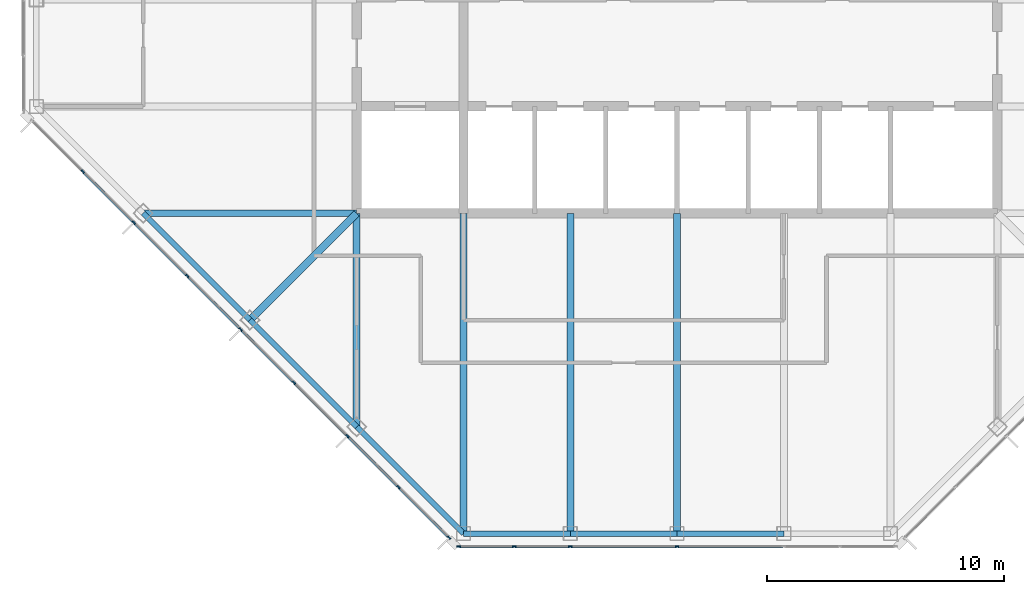
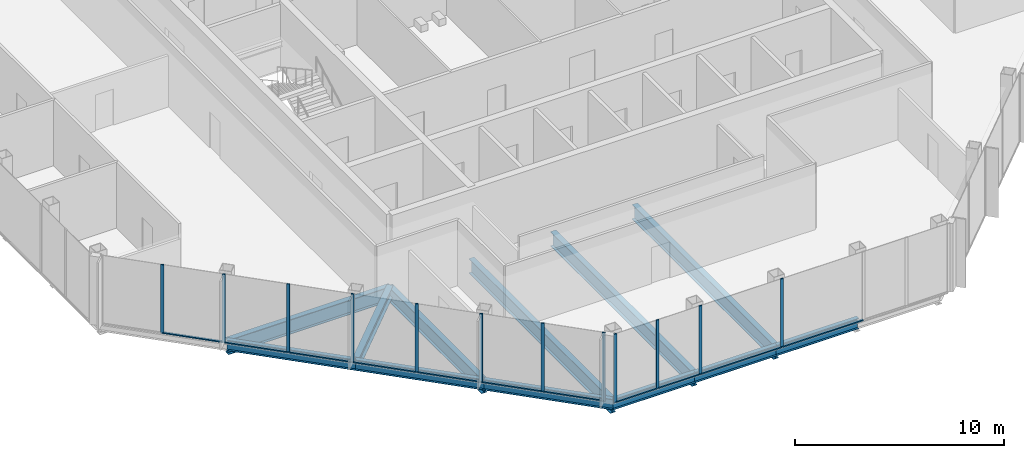
# One storey, part 2 of 14: 23 members, 12 beams, 2 elements without a shape of their own.
"""IFC4 building model written with IfcOpenShell, lengths in metres."""

import ifcopenshell
import ifcopenshell.guid

model = None  # the IFC model being written
_history = None  # IfcOwnerHistory: only IFC2X3 demands one
_inside = {}  # id of a spatial element -> (the spatial element, [elements in it])
_under = {}  # id of a project, library or spatial element -> (it, [spatial elements below it])
_declared = {}  # id of a project -> (the project, [libraries it declares])
_typed = {}  # id of a type object -> (the type object, [elements of that type])
_made_of = {}  # id of a material, layer set ... -> (it, [elements and type objects made of it])


def new_model(schema):
    """Start an empty IFC model of exactly this schema.

    Asked for "IFC4X3", IfcOpenShell would pick the latest addendum, in which some entities
    have other attributes; the version numbers below select the first issue.
    IFC2X3 requires an IfcOwnerHistory on every rooted entity: one is made here for all.
    """
    global model, _history
    if schema == "IFC4X3":
        model = ifcopenshell.file(schema_version=(4, 3, 0, 0))
    else:
        model = ifcopenshell.file(schema=schema)
    _inside.clear()
    _under.clear()
    _declared.clear()
    _typed.clear()
    _made_of.clear()
    _history = None
    if model.schema == "IFC2X3":
        org = make("IfcOrganization", Name="unknown")
        user = make(
            "IfcPersonAndOrganization",
            ThePerson=make("IfcPerson", FamilyName="unknown"),
            TheOrganization=org,
        )
        app = make(
            "IfcApplication",
            ApplicationDeveloper=org,
            Version="unknown",
            ApplicationFullName="unknown",
            ApplicationIdentifier="unknown",
        )
        _history = make(
            "IfcOwnerHistory",
            OwningUser=user,
            OwningApplication=app,
            ChangeAction="ADDED",
            CreationDate=0,
        )
    return model


def make(cls, **values):
    """One entity of the class cls with the attributes given. An attribute that is None is left unset."""
    return model.create_entity(
        cls, **{name: value for name, value in values.items() if value is not None}
    )


def rooted(cls, **values):
    """An entity with a GlobalId (a new one), such as an element, a storey or a relation."""
    return make(cls, GlobalId=ifcopenshell.guid.new(), OwnerHistory=_history, **values)


def si_unit(unit_type, name, prefix=None):
    """IfcSIUnit, for example si_unit("LENGTHUNIT", "METRE", prefix="MILLI")."""
    return make("IfcSIUnit", UnitType=unit_type, Prefix=prefix, Name=name)


def assignment(units):
    """IfcUnitAssignment: the units of a project."""
    return None if units is None else make("IfcUnitAssignment", Units=units)


def point(xyz):
    """IfcCartesianPoint."""
    return None if xyz is None else make("IfcCartesianPoint", Coordinates=xyz)


def direction(xyz):
    """IfcDirection."""
    return None if xyz is None else make("IfcDirection", DirectionRatios=xyz)


def frame(location, z_axis=None, x_axis=None):
    """IfcAxis2Placement3D, a coordinate frame: its origin and axes. An axis left out is left unset."""
    return make(
        "IfcAxis2Placement3D",
        Location=point(location),
        Axis=direction(z_axis),
        RefDirection=direction(x_axis),
    )


def frame_2d(location, x_axis=None):
    """IfcAxis2Placement2D, a coordinate frame in the plane: its origin and x axis."""
    return make(
        "IfcAxis2Placement2D", Location=point(location), RefDirection=direction(x_axis)
    )


def origin():
    """The frame at (0, 0, 0) with its axes left unset."""
    return frame((0.0, 0.0, 0.0))


def origin_2d():
    """The frame at (0, 0) in the plane with its x axis left unset."""
    return frame_2d((0.0, 0.0))


def place(relative_to, where):
    """IfcLocalPlacement: puts the frame where relative to a parent placement (None: the world)."""
    return make(
        "IfcLocalPlacement", PlacementRelTo=relative_to, RelativePlacement=where
    )


def context(
    kind, dimensions, precision=None, world=None, true_north=None, identifier=None
):
    """IfcGeometricRepresentationContext, for example the 3D "Model" context."""
    return make(
        "IfcGeometricRepresentationContext",
        ContextIdentifier=identifier,
        ContextType=kind,
        CoordinateSpaceDimension=dimensions,
        Precision=precision,
        WorldCoordinateSystem=world,
        TrueNorth=true_north,
    )


def subcontext(parent, identifier, kind, view, scale=None):
    """IfcGeometricRepresentationSubContext, for example "Body" below "Model"."""
    return make(
        "IfcGeometricRepresentationSubContext",
        ContextIdentifier=identifier,
        ContextType=kind,
        ParentContext=parent,
        TargetScale=scale,
        TargetView=view,
    )


def project(units=None, contexts=None):
    """IfcProject with its units and contexts."""
    return rooted(
        "IfcProject",
        Name="project",
        RepresentationContexts=contexts,
        UnitsInContext=assignment(units),
    )


def spatial(cls, under=None, at=None, **own):
    """A site, building, storey or space (cls), placed at a placement, below another one or the project."""
    s = rooted(cls, ObjectPlacement=at, **own)
    if under is not None:
        _under.setdefault(under.id(), (under, []))[1].append(s)
    return s


def profile(cls, at=None, kind="AREA", **sizes):
    """A parametric profile (cls). Its sizes go by their IFC names, for example OverallWidth=200.0."""
    return make(cls, ProfileType=kind, Position=at, **sizes)


def rectangle(**sizes):
    """IfcRectangleProfileDef."""
    return profile("IfcRectangleProfileDef", **sizes)


def i_section(**sizes):
    """IfcIShapeProfileDef."""
    return profile("IfcIShapeProfileDef", **sizes)


def extrude(swept, where, along, depth):
    """IfcExtrudedAreaSolid: the profile swept, set in the frame where, extruded along a direction by depth."""
    return make(
        "IfcExtrudedAreaSolid",
        SweptArea=swept,
        Position=where,
        ExtrudedDirection=direction(along),
        Depth=depth,
    )


def shape(context_of_items, identifier, shape_type, items):
    """IfcShapeRepresentation: the items that make up one representation, for example the "Body"."""
    return make(
        "IfcShapeRepresentation",
        ContextOfItems=context_of_items,
        RepresentationIdentifier=identifier,
        RepresentationType=shape_type,
        Items=items,
    )


def material(Name=None, Category=None):
    """IfcMaterial."""
    return make("IfcMaterial", Name=Name, Category=Category)


def material_profile(
    of_material, cross_section, Name=None, Category=None, Priority=None
):
    """IfcMaterialProfile: a cross section and its material."""
    return make(
        "IfcMaterialProfile",
        Name=Name,
        Material=of_material,
        Profile=cross_section,
        Priority=Priority,
        Category=Category,
    )


def profile_set(profiles, Name=None, composite=None):
    """IfcMaterialProfileSet."""
    return make(
        "IfcMaterialProfileSet",
        Name=Name,
        MaterialProfiles=profiles,
        CompositeProfile=composite,
    )


def made_of(thing, what):
    """Note that an element or type object is made of a material, layer set ...; save() writes the relation."""
    if what is not None:
        _made_of.setdefault(what.id(), (what, []))[1].append(thing)
    return thing


def type_object(cls, material=None, **own):
    """A type object (cls), such as IfcWallType, which elements share."""
    return made_of(rooted(cls, **own), material)


def element(
    cls,
    number,
    at=None,
    inside=None,
    cuts=None,
    type_object=None,
    material=None,
    context=None,
    identifier="Body",
    shape_type=None,
    held_by="IfcProductDefinitionShape",
    body=None,
    shapes=None,
    **own,
):
    """One element of the class cls, such as IfcWall. Its Tag is "e" and its number.

    at: its placement. inside: the storey or other place that contains it. cuts: it is an
    opening in that element (IfcRelVoidsElement). A single representation is given by context,
    identifier, shape_type and body (its items); several are given by shapes. held_by: the class
    of the entity that holds the representations. save() writes the other relations.
    """
    e = rooted(cls, Tag="e%d" % number, ObjectPlacement=at, **own)
    if body is not None:
        shapes = [shape(context, identifier, shape_type, body)]
    if shapes is not None:
        e.Representation = make(held_by, Representations=shapes)
    if inside is not None:
        _inside.setdefault(inside.id(), (inside, []))[1].append(e)
    if cuts is not None:
        rooted(
            "IfcRelVoidsElement", RelatingBuildingElement=cuts, RelatedOpeningElement=e
        )
    if type_object is not None:
        _typed.setdefault(type_object.id(), (type_object, []))[1].append(e)
    return made_of(e, material)


def aggregate(whole, parts):
    """IfcRelAggregates: a whole, such as a stair, and the parts it consists of."""
    return rooted("IfcRelAggregates", RelatingObject=whole, RelatedObjects=parts)


def save(model, path):
    """Write the relations noted so far, then the file.

    IfcRelAggregates (storeys below a building ...), IfcRelContainedInSpatialStructure (elements
    in a storey), IfcRelDefinesByType, IfcRelAssociatesMaterial and IfcRelDeclares: one each for
    every whole, place, type object, material and project.
    """
    for whole, parts in _under.values():
        aggregate(whole, parts)
    for where, things in _inside.values():
        rooted(
            "IfcRelContainedInSpatialStructure",
            RelatedElements=things,
            RelatingStructure=where,
        )
    for kind, things in _typed.values():
        rooted("IfcRelDefinesByType", RelatedObjects=things, RelatingType=kind)
    for what, things in _made_of.values():
        rooted("IfcRelAssociatesMaterial", RelatedObjects=things, RelatingMaterial=what)
    for by, libraries in _declared.values():
        rooted("IfcRelDeclares", RelatingContext=by, RelatedDefinitions=libraries)
    model.write(path)


model = new_model("IFC4")

# Units and contexts
model_context = context("Model", 3, precision=1e-05, world=origin(), true_north=direction((0.0, 1.0)))
body_context = subcontext(model_context, "Body", "Model", "MODEL_VIEW")
ifc_project = project(units=[si_unit("LENGTHUNIT", "METRE"), si_unit("AREAUNIT", "SQUARE_METRE"), si_unit("VOLUMEUNIT", "CUBIC_METRE"), si_unit("PLANEANGLEUNIT", "RADIAN"), si_unit("MASSUNIT", "GRAM", prefix="KILO")], contexts=[model_context])

# Site, building, storey
site_placement = place(None, origin())
site = spatial("IfcSite", under=ifc_project, at=site_placement, CompositionType="ELEMENT")
building_placement = place(site_placement, origin())
building = spatial("IfcBuilding", under=site, at=building_placement, Name="Corais Broadcast Tower", CompositionType="ELEMENT")
storey_placement = place(building_placement, frame((0.0, 0.0, 286.60009765625)))
storey = spatial("IfcBuildingStorey", under=building, at=storey_placement, Name="L67", CompositionType="ELEMENT", Elevation=286.60009765625)

# Beams
ifc_material_1 = material(Name="Steel ASTM A572 Grade 50", Category="steel")
ifc_material_profile_1 = material_profile(ifc_material_1, i_section(OverallWidth=0.323974609375, OverallDepth=0.611083984375, WebThickness=0.0126953125, FlangeThickness=0.01904296875, at=origin_2d()), Name="W610x155")
ifc_profile_set_1 = profile_set([ifc_material_profile_1], Name="Steel ASTM A572 Grade 50")
beam_type_1 = type_object("IfcBeamType", Name="Corner diagonal W610x155", PredefinedType="BEAM", material=ifc_profile_set_1)
beam_1_placement = place(storey_placement, frame((9.0, 9.0, -0.465576171875), z_axis=(0.707106781187, 0.707106781187, 0.0), x_axis=(-0.707106781187, 0.707106781187, 0.0)))
element("IfcBeam", 1, at=beam_1_placement, inside=storey, type_object=beam_type_1, Name="B6 C/5 to D/6", PredefinedType="BEAM", context=body_context, shape_type="SweptSolid", body=[
    extrude(i_section(OverallWidth=0.323974609375, OverallDepth=0.611083984375, WebThickness=0.0126953125, FlangeThickness=0.01904296875, at=origin_2d()), origin(), (0.0, 0.0, 1.0), 6.364013671875),
])
ifc_material_2 = material(Name="Steel ASTM A572 Grade 50", Category="steel")
ifc_material_profile_2 = material_profile(ifc_material_2, i_section(OverallWidth=0.2939453125, OverallDepth=0.85107421875, WebThickness=0.01611328125, FlangeThickness=0.02685546875, at=origin_2d()), Name="W840x226")
ifc_profile_set_2 = profile_set([ifc_material_profile_2], Name="Steel ASTM A572 Grade 50")
beam_type_2 = type_object("IfcBeamType", Name="Floor beam W840x226", PredefinedType="BEAM", material=ifc_profile_set_2)
beam_2_placement = place(storey_placement, frame((13.5, 4.5, -0.585693359375), z_axis=(0.0, 1.0, 0.0), x_axis=(-1.0, 0.0, 0.0)))
element("IfcBeam", 2, at=beam_2_placement, inside=storey, type_object=beam_type_2, Name="B1 B/6 to D/6", PredefinedType="BEAM", context=body_context, shape_type="SweptSolid", body=[
    extrude(i_section(OverallWidth=0.2939453125, OverallDepth=0.85107421875, WebThickness=0.01611328125, FlangeThickness=0.02685546875, at=origin_2d()), origin(), (0.0, 0.0, 1.0), 9.0),
])
for number, where, z_axis, x_axis, name in (
    (3, (18.0, 0.0, -0.585693359375), (0.0, 1.0, 0.0), (-1.0, 0.0, 0.0), "B1 A/7 to D/7"),
    (4, (22.5, 0.0, -0.585693359375), (0.0, 1.0, 0.0), (-1.0, 0.0, 0.0), "B1 A/8 to D/8"),
    (5, (27.0, 0.0, -0.585693359375), (0.0, 1.0, 0.0), (-1.0, 0.0, 0.0), "B1 A/9 to D/9"),
):
    element("IfcBeam", number, at=place(storey_placement, frame(where, z_axis=z_axis, x_axis=x_axis)), inside=storey, type_object=beam_type_2, Name=name, PredefinedType="BEAM", context=body_context, shape_type="SweptSolid", body=[
        extrude(i_section(OverallWidth=0.2939453125, OverallDepth=0.85107421875, WebThickness=0.01611328125, FlangeThickness=0.02685546875, at=origin_2d()), origin(), (0.0, 0.0, 1.0), 13.5),
    ])
beam_3_placement = place(storey_placement, frame((4.5, 13.5, -0.585693359375), z_axis=(1.0, 0.0, 0.0), x_axis=(0.0, 1.0, 0.0)))
element("IfcBeam", 6, at=beam_3_placement, inside=storey, type_object=beam_type_2, Name="B1 D/4 to D/6", PredefinedType="BEAM", context=body_context, shape_type="SweptSolid", body=[
    extrude(i_section(OverallWidth=0.2939453125, OverallDepth=0.85107421875, WebThickness=0.01611328125, FlangeThickness=0.02685546875, at=origin_2d()), origin(), (0.0, 0.0, 1.0), 9.0),
])

# Curtain wall, members
ifc_material_3 = material(Name="Aluminium and glass", Category="aluminium")
curtain_wall_type = type_object("IfcCurtainWallType", Name="Unitised fritted curtain wall CW3", PredefinedType="NOTDEFINED", material=ifc_material_3)
curtain_wall_1_placement = place(storey_placement, origin())
curtain_wall_1 = element("IfcCurtainWall", 7, at=curtain_wall_1_placement, inside=storey, type_object=curtain_wall_type, Name="CW3 curtain wall L67 1", PredefinedType="NOTDEFINED")
ifc_material_4 = material(Name="Aluminium 6063-T6", Category="aluminium")
ifc_material_profile_3 = material_profile(ifc_material_4, rectangle(XDim=0.06494140625, YDim=0.159912109375, at=origin_2d()), Name="Mullion CW3 65x160")
ifc_profile_set_3 = profile_set([ifc_material_profile_3], Name="Aluminium 6063-T6")
member_type_1 = type_object("IfcMemberType", Name="Mullion CW3 65x160", PredefinedType="MULLION", material=ifc_profile_set_3)
member_1_placement = place(storey_placement, frame((17.3955078125, -0.17333984375, 0.0), z_axis=(0.0, 0.0, 1.0), x_axis=(-0.707106781187, -0.707106781187, 0.0)))
member_1 = element("IfcMember", 8, at=member_1_placement, type_object=member_type_1, Name="CW3 mullion 1", PredefinedType="MULLION", context=body_context, shape_type="SweptSolid", body=[
    extrude(rectangle(XDim=0.06494140625, YDim=0.159912109375, at=origin_2d()), origin(), (0.0, 0.0, 1.0), 4.0),
])
member_2_placement = place(storey_placement, frame((15.264892578125, 1.957275390625, 0.0), z_axis=(0.0, 0.0, 1.0), x_axis=(-0.707106781187, -0.707106781187, 0.0)))
member_2 = element("IfcMember", 9, at=member_2_placement, type_object=member_type_1, Name="CW3 mullion 2", PredefinedType="MULLION", context=body_context, shape_type="SweptSolid", body=[
    extrude(rectangle(XDim=0.06494140625, YDim=0.159912109375, at=origin_2d()), origin(), (0.0, 0.0, 1.0), 4.0),
])
member_3_placement = place(storey_placement, frame((13.111083984375, 4.111083984375, 0.0), z_axis=(0.0, 0.0, 1.0), x_axis=(-0.707106781187, -0.707106781187, 0.0)))
member_3 = element("IfcMember", 10, at=member_3_placement, type_object=member_type_1, Name="CW3 mullion 3", PredefinedType="MULLION", context=body_context, shape_type="SweptSolid", body=[
    extrude(rectangle(XDim=0.06494140625, YDim=0.159912109375, at=origin_2d()), origin(), (0.0, 0.0, 1.0), 4.0),
])
member_4_placement = place(storey_placement, frame((10.861083984375, 6.361083984375, 0.0), z_axis=(0.0, 0.0, 1.0), x_axis=(-0.707106781187, -0.707106781187, 0.0)))
member_4 = element("IfcMember", 11, at=member_4_placement, type_object=member_type_1, Name="CW3 mullion 4", PredefinedType="MULLION", context=body_context, shape_type="SweptSolid", body=[
    extrude(rectangle(XDim=0.06494140625, YDim=0.159912109375, at=origin_2d()), origin(), (0.0, 0.0, 1.0), 4.0),
])
member_5_placement = place(storey_placement, frame((8.611083984375, 8.611083984375, 0.0), z_axis=(0.0, 0.0, 1.0), x_axis=(-0.707106781187, -0.707106781187, 0.0)))
member_5 = element("IfcMember", 12, at=member_5_placement, type_object=member_type_1, Name="CW3 mullion 5", PredefinedType="MULLION", context=body_context, shape_type="SweptSolid", body=[
    extrude(rectangle(XDim=0.06494140625, YDim=0.159912109375, at=origin_2d()), origin(), (0.0, 0.0, 1.0), 4.0),
])
member_6_placement = place(storey_placement, frame((6.361083984375, 10.861083984375, 0.0), z_axis=(0.0, 0.0, 1.0), x_axis=(-0.707106781187, -0.707106781187, 0.0)))
member_6 = element("IfcMember", 13, at=member_6_placement, type_object=member_type_1, Name="CW3 mullion 6", PredefinedType="MULLION", context=body_context, shape_type="SweptSolid", body=[
    extrude(rectangle(XDim=0.06494140625, YDim=0.159912109375, at=origin_2d()), origin(), (0.0, 0.0, 1.0), 4.0),
])
member_7_placement = place(storey_placement, frame((4.111083984375, 13.111083984375, 0.0), z_axis=(0.0, 0.0, 1.0), x_axis=(-0.707106781187, -0.707106781187, 0.0)))
member_7 = element("IfcMember", 14, at=member_7_placement, type_object=member_type_1, Name="CW3 mullion 7", PredefinedType="MULLION", context=body_context, shape_type="SweptSolid", body=[
    extrude(rectangle(XDim=0.06494140625, YDim=0.159912109375, at=origin_2d()), origin(), (0.0, 0.0, 1.0), 4.0),
])
member_8_placement = place(storey_placement, frame((1.957275390625, 15.264892578125, 0.0), z_axis=(0.0, 0.0, 1.0), x_axis=(-0.707106781187, -0.707106781187, 0.0)))
member_8 = element("IfcMember", 15, at=member_8_placement, type_object=member_type_1, Name="CW3 mullion 8", PredefinedType="MULLION", context=body_context, shape_type="SweptSolid", body=[
    extrude(rectangle(XDim=0.06494140625, YDim=0.159912109375, at=origin_2d()), origin(), (0.0, 0.0, 1.0), 4.0),
])

curtain_wall_2_placement = place(storey_placement, origin())
curtain_wall_2 = element("IfcCurtainWall", 16, at=curtain_wall_2_placement, inside=storey, type_object=curtain_wall_type, Name="CW3 curtain wall L67 8", PredefinedType="NOTDEFINED")
member_9_placement = place(storey_placement, frame((27.0, -0.550048828125, 0.0), z_axis=(0.0, 0.0, 1.0), x_axis=(0.0, -1.0, 0.0)))
member_9 = element("IfcMember", 17, at=member_9_placement, type_object=member_type_1, Name="CW3 mullion 4", PredefinedType="MULLION", context=body_context, shape_type="SweptSolid", body=[
    extrude(rectangle(XDim=0.06494140625, YDim=0.159912109375, at=origin_2d()), origin(), (0.0, 0.0, 1.0), 4.0),
])
member_10_placement = place(storey_placement, frame((22.5, -0.550048828125, 0.0), z_axis=(0.0, 0.0, 1.0), x_axis=(0.0, -1.0, 0.0)))
member_10 = element("IfcMember", 18, at=member_10_placement, type_object=member_type_1, Name="CW3 mullion 5", PredefinedType="MULLION", context=body_context, shape_type="SweptSolid", body=[
    extrude(rectangle(XDim=0.06494140625, YDim=0.159912109375, at=origin_2d()), origin(), (0.0, 0.0, 1.0), 4.0),
])
member_11_placement = place(storey_placement, frame((20.135986328125, -0.550048828125, 0.0), z_axis=(0.0, 0.0, 1.0), x_axis=(0.0, -1.0, 0.0)))
member_11 = element("IfcMember", 19, at=member_11_placement, type_object=member_type_1, Name="CW3 mullion 6", PredefinedType="MULLION", context=body_context, shape_type="SweptSolid", body=[
    extrude(rectangle(XDim=0.06494140625, YDim=0.159912109375, at=origin_2d()), origin(), (0.0, 0.0, 1.0), 4.0),
])
member_12_placement = place(storey_placement, frame((17.8046875, -0.550048828125, 0.0), z_axis=(0.0, 0.0, 1.0), x_axis=(0.0, -1.0, 0.0)))
member_12 = element("IfcMember", 20, at=member_12_placement, type_object=member_type_1, Name="CW3 mullion 7", PredefinedType="MULLION", context=body_context, shape_type="SweptSolid", body=[
    extrude(rectangle(XDim=0.06494140625, YDim=0.159912109375, at=origin_2d()), origin(), (0.0, 0.0, 1.0), 4.0),
])

# Beams
ifc_material_5 = material(Name="Steel ASTM A572 Grade 50", Category="steel")
ifc_material_profile_4 = material_profile(ifc_material_5, i_section(OverallWidth=0.22998046875, OverallDepth=0.616943359375, WebThickness=0.01318359375, FlangeThickness=0.022216796875, at=origin_2d()), Name="W610x140")
ifc_profile_set_4 = profile_set([ifc_material_profile_4], Name="Steel ASTM A572 Grade 50")
beam_type_3 = type_object("IfcBeamType", Name="Spandrel W610x140", PredefinedType="BEAM", material=ifc_profile_set_4)
beam_4_placement = place(storey_placement, frame((13.5, 4.5, -0.468505859375), z_axis=(0.707106781187, -0.707106781187, 0.0), x_axis=(0.707106781187, 0.707106781187, 0.0)))
element("IfcBeam", 21, at=beam_4_placement, inside=storey, type_object=beam_type_3, Name="SB3 B/6 to A/7", PredefinedType="BEAM", context=body_context, shape_type="SweptSolid", body=[
    extrude(i_section(OverallWidth=0.22998046875, OverallDepth=0.616943359375, WebThickness=0.01318359375, FlangeThickness=0.022216796875, at=origin_2d()), origin(), (0.0, 0.0, 1.0), 6.364013671875),
])
for number, where, z_axis, x_axis, name in (
    (22, (18.0, 0.0, -0.468505859375), (1.0, 0.0, 0.0), (0.0, 1.0, 0.0), "SB3 A/7 to A/8"),
    (23, (22.5, 0.0, -0.468505859375), (1.0, 0.0, 0.0), (0.0, 1.0, 0.0), "SB3 A/8 to A/9"),
    (24, (27.0, 0.0, -0.468505859375), (1.0, 0.0, 0.0), (0.0, 1.0, 0.0), "SB3 A/9 to A/10"),
):
    element("IfcBeam", number, at=place(storey_placement, frame(where, z_axis=z_axis, x_axis=x_axis)), inside=storey, type_object=beam_type_3, Name=name, PredefinedType="BEAM", context=body_context, shape_type="SweptSolid", body=[
        extrude(i_section(OverallWidth=0.22998046875, OverallDepth=0.616943359375, WebThickness=0.01318359375, FlangeThickness=0.022216796875, at=origin_2d()), origin(), (0.0, 0.0, 1.0), 4.5),
    ])
for number, where, z_axis, x_axis, name in (
    (25, (4.5, 13.5, -0.468505859375), (0.707106781187, -0.707106781187, 0.0), (0.707106781187, 0.707106781187, 0.0), "SB3 D/4 to C/5"),
    (26, (9.0, 9.0, -0.468505859375), (0.707106781187, -0.707106781187, 0.0), (0.707106781187, 0.707106781187, 0.0), "SB3 C/5 to B/6"),
):
    element("IfcBeam", number, at=place(storey_placement, frame(where, z_axis=z_axis, x_axis=x_axis)), inside=storey, type_object=beam_type_3, Name=name, PredefinedType="BEAM", context=body_context, shape_type="SweptSolid", body=[
        extrude(i_section(OverallWidth=0.22998046875, OverallDepth=0.616943359375, WebThickness=0.01318359375, FlangeThickness=0.022216796875, at=origin_2d()), origin(), (0.0, 0.0, 1.0), 6.364013671875),
    ])

# Member
ifc_material_6 = material(Name="Aluminium 6063-T6", Category="aluminium")
ifc_material_profile_5 = material_profile(ifc_material_6, rectangle(XDim=0.1201171875, YDim=0.06494140625, at=origin_2d()), Name="Transom CW3 65x120")
ifc_profile_set_5 = profile_set([ifc_material_profile_5], Name="Aluminium 6063-T6")
member_type_2 = type_object("IfcMemberType", Name="Transom CW3 65x120", PredefinedType="USERDEFINED", material=ifc_profile_set_5)
member_13_placement = place(storey_placement, frame((17.37255859375, -0.150390625, 0.032470703125), z_axis=(-0.707106781187, 0.707106781187, 0.0), x_axis=(-0.707106781187, -0.707106781187, 0.0)))
member_13 = element("IfcMember", 27, at=member_13_placement, type_object=member_type_2, Name="CW3 transom 1.1", ObjectType="TRANSOM", PredefinedType="USERDEFINED", context=body_context, shape_type="SweptSolid", body=[
    extrude(rectangle(XDim=0.1201171875, YDim=0.06494140625, at=origin_2d()), origin(), (0.0, 0.0, 1.0), 2.9482421875),
])

member_14_placement = place(storey_placement, frame((15.241943359375, 1.980224609375, 0.032470703125), z_axis=(-0.707106781187, 0.707106781187, 0.0), x_axis=(-0.707106781187, -0.707106781187, 0.0)))
member_14 = element("IfcMember", 28, at=member_14_placement, type_object=member_type_2, Name="CW3 transom 2.1", ObjectType="TRANSOM", PredefinedType="USERDEFINED", context=body_context, shape_type="SweptSolid", body=[
    extrude(rectangle(XDim=0.1201171875, YDim=0.06494140625, at=origin_2d()), origin(), (0.0, 0.0, 1.0), 2.98095703125),
])

member_15_placement = place(storey_placement, frame((13.088134765625, 4.134033203125, 0.032470703125), z_axis=(-0.707106781187, 0.707106781187, 0.0), x_axis=(-0.707106781187, -0.707106781187, 0.0)))
member_15 = element("IfcMember", 29, at=member_15_placement, type_object=member_type_2, Name="CW3 transom 3.1", ObjectType="TRANSOM", PredefinedType="USERDEFINED", context=body_context, shape_type="SweptSolid", body=[
    extrude(rectangle(XDim=0.1201171875, YDim=0.06494140625, at=origin_2d()), origin(), (0.0, 0.0, 1.0), 3.1171875),
])

member_16_placement = place(storey_placement, frame((10.838134765625, 6.384033203125, 0.032470703125), z_axis=(-0.707106781187, 0.707106781187, 0.0), x_axis=(-0.707106781187, -0.707106781187, 0.0)))
member_16 = element("IfcMember", 30, at=member_16_placement, type_object=member_type_2, Name="CW3 transom 4.1", ObjectType="TRANSOM", PredefinedType="USERDEFINED", context=body_context, shape_type="SweptSolid", body=[
    extrude(rectangle(XDim=0.1201171875, YDim=0.06494140625, at=origin_2d()), origin(), (0.0, 0.0, 1.0), 3.1171875),
])

member_17_placement = place(storey_placement, frame((8.588134765625, 8.634033203125, 0.032470703125), z_axis=(-0.707106781187, 0.707106781187, 0.0), x_axis=(-0.707106781187, -0.707106781187, 0.0)))
member_17 = element("IfcMember", 31, at=member_17_placement, type_object=member_type_2, Name="CW3 transom 5.1", ObjectType="TRANSOM", PredefinedType="USERDEFINED", context=body_context, shape_type="SweptSolid", body=[
    extrude(rectangle(XDim=0.1201171875, YDim=0.06494140625, at=origin_2d()), origin(), (0.0, 0.0, 1.0), 3.1171875),
])

member_18_placement = place(storey_placement, frame((6.338134765625, 10.884033203125, 0.032470703125), z_axis=(-0.707106781187, 0.707106781187, 0.0), x_axis=(-0.707106781187, -0.707106781187, 0.0)))
member_18 = element("IfcMember", 32, at=member_18_placement, type_object=member_type_2, Name="CW3 transom 6.1", ObjectType="TRANSOM", PredefinedType="USERDEFINED", context=body_context, shape_type="SweptSolid", body=[
    extrude(rectangle(XDim=0.1201171875, YDim=0.06494140625, at=origin_2d()), origin(), (0.0, 0.0, 1.0), 3.1171875),
])

member_19_placement = place(storey_placement, frame((4.088134765625, 13.134033203125, 0.032470703125), z_axis=(-0.707065828661, 0.70714773134, 0.0), x_axis=(-0.70714773134, -0.707065828661, 0.0)))
member_19 = element("IfcMember", 33, at=member_19_placement, type_object=member_type_2, Name="CW3 transom 7.1", ObjectType="TRANSOM", PredefinedType="USERDEFINED", context=body_context, shape_type="SweptSolid", body=[
    extrude(rectangle(XDim=0.1201171875, YDim=0.06494140625, at=origin_2d()), origin(), (0.0, 0.0, 1.0), 2.98095703125),
])

aggregate(curtain_wall_1, [member_1, member_2, member_3, member_4, member_5, member_6, member_7, member_8, member_13, member_14, member_15, member_16, member_17, member_18, member_19])

member_20_placement = place(storey_placement, frame((31.467529296875, -0.550048828125, 0.032470703125), z_axis=(-1.0, 0.0, 0.0), x_axis=(0.0, -1.0, 0.0)))
member_20 = element("IfcMember", 34, at=member_20_placement, type_object=member_type_2, Name="CW3 transom 3.1", ObjectType="TRANSOM", PredefinedType="USERDEFINED", context=body_context, shape_type="SweptSolid", body=[
    extrude(rectangle(XDim=0.1201171875, YDim=0.06494140625, at=origin_2d()), origin(), (0.0, 0.0, 1.0), 4.43505859375),
])

member_21_placement = place(storey_placement, frame((26.967529296875, -0.550048828125, 0.032470703125), z_axis=(-1.0, 0.0, 0.0), x_axis=(0.0, -1.0, 0.0)))
member_21 = element("IfcMember", 35, at=member_21_placement, type_object=member_type_2, Name="CW3 transom 4.1", ObjectType="TRANSOM", PredefinedType="USERDEFINED", context=body_context, shape_type="SweptSolid", body=[
    extrude(rectangle(XDim=0.1201171875, YDim=0.06494140625, at=origin_2d()), origin(), (0.0, 0.0, 1.0), 4.43505859375),
])

member_22_placement = place(storey_placement, frame((22.467529296875, -0.550048828125, 0.032470703125), z_axis=(-1.0, 0.0, 0.0), x_axis=(0.0, -1.0, 0.0)))
member_22 = element("IfcMember", 36, at=member_22_placement, type_object=member_type_2, Name="CW3 transom 5.1", ObjectType="TRANSOM", PredefinedType="USERDEFINED", context=body_context, shape_type="SweptSolid", body=[
    extrude(rectangle(XDim=0.1201171875, YDim=0.06494140625, at=origin_2d()), origin(), (0.0, 0.0, 1.0), 2.298828125),
])

member_23_placement = place(storey_placement, frame((20.103515625, -0.550048828125, 0.032470703125), z_axis=(-1.0, 0.0, 0.0), x_axis=(0.0, -1.0, 0.0)))
member_23 = element("IfcMember", 37, at=member_23_placement, type_object=member_type_2, Name="CW3 transom 6.1", ObjectType="TRANSOM", PredefinedType="USERDEFINED", context=body_context, shape_type="SweptSolid", body=[
    extrude(rectangle(XDim=0.1201171875, YDim=0.06494140625, at=origin_2d()), origin(), (0.0, 0.0, 1.0), 2.266357421875),
])

aggregate(curtain_wall_2, [member_9, member_10, member_11, member_12, member_20, member_21, member_22, member_23])

save(model, "model.ifc")
